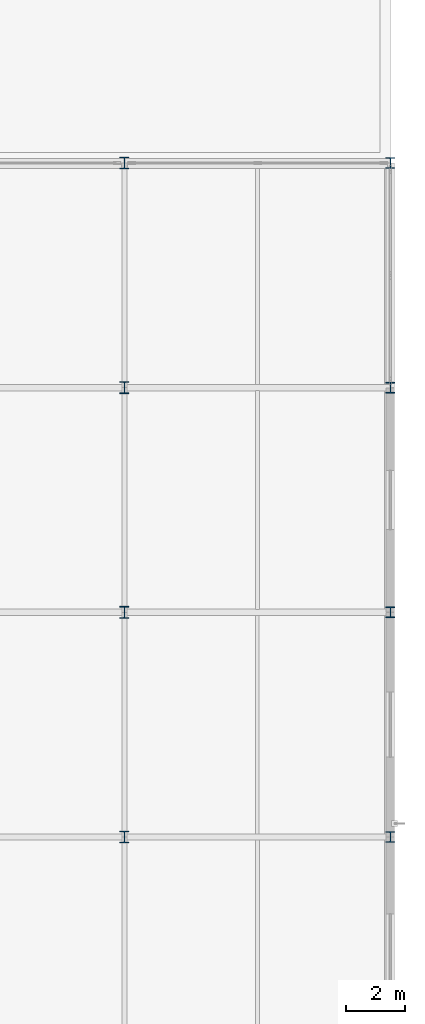
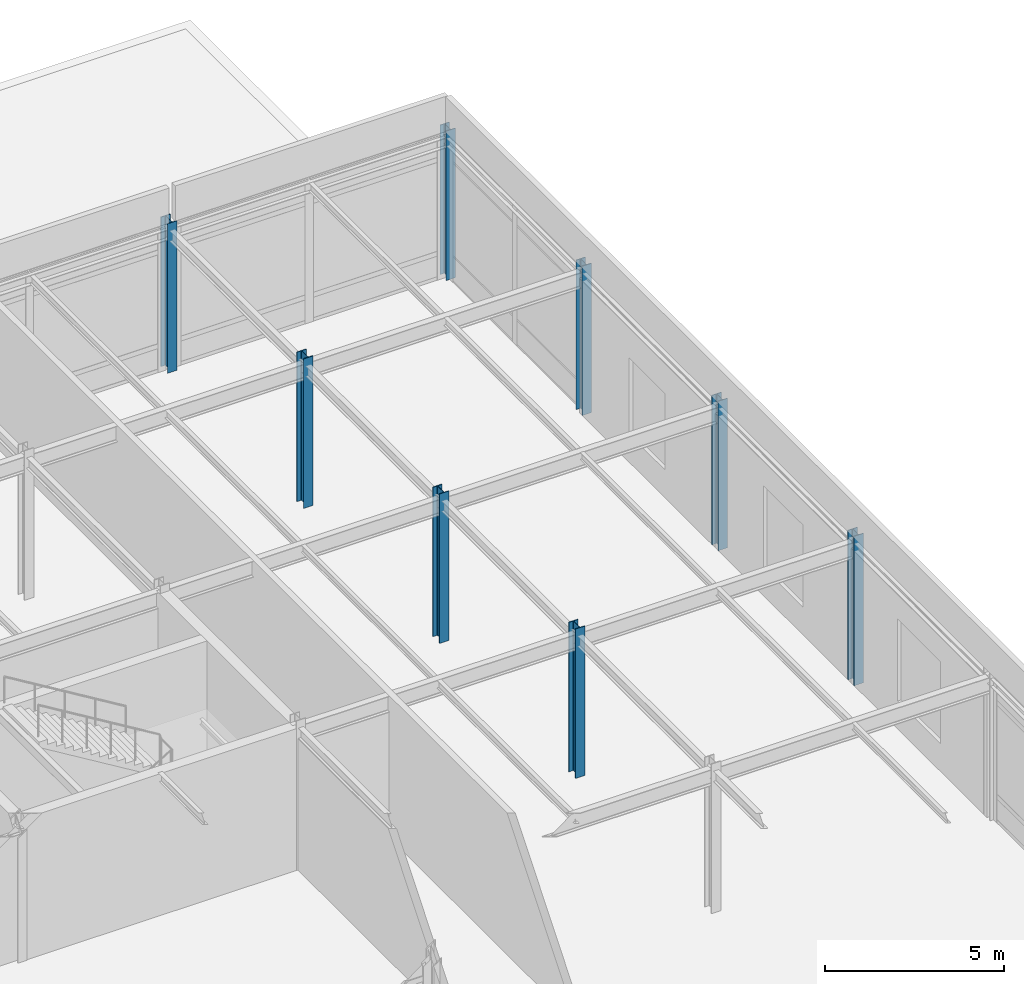
# One storey, part 13 of 79: 8 columns.
"""IFC4 building model written with IfcOpenShell, lengths in metres."""

from ifc_helpers import new_model, si_unit, direction, frame, origin, origin_2d, place, context, subcontext, project, spatial, i_section, extrude, material, material_profile, profile_set, type_object, element, save


model = new_model("IFC4")

# Units and contexts
model_context = context("Model", 3, precision=1e-05, world=origin(), true_north=direction((0.0, 1.0)))
body_context = subcontext(model_context, "Body", "Model", "MODEL_VIEW")
ifc_project = project(units=[si_unit("LENGTHUNIT", "METRE"), si_unit("AREAUNIT", "SQUARE_METRE"), si_unit("VOLUMEUNIT", "CUBIC_METRE"), si_unit("PLANEANGLEUNIT", "RADIAN"), si_unit("MASSUNIT", "GRAM", prefix="KILO")], contexts=[model_context])

# Site, building, storey
site_placement = place(None, origin())
site = spatial("IfcSite", under=ifc_project, at=site_placement, CompositionType="ELEMENT")
building_placement = place(site_placement, origin())
building = spatial("IfcBuilding", under=site, at=building_placement, Name="Shalkamar Park Central Library", CompositionType="ELEMENT")
storey_placement = place(building_placement, frame((0.0, 0.0, 10.5)))
storey = spatial("IfcBuildingStorey", under=building, at=storey_placement, Name="L03", CompositionType="ELEMENT", Elevation=10.5)

# Columns
ifc_material = material(Name="Steel S355", Category="steel")
ifc_material_profile_1 = material_profile(ifc_material, i_section(OverallWidth=0.300048828125, OverallDepth=0.360107421875, WebThickness=0.012451171875, FlangeThickness=0.0224609375, FilletRadius=0.027099609375, at=origin_2d()), Name="HEB 360")
ifc_profile_set_1 = profile_set([ifc_material_profile_1], Name="Steel S355")
column_type_1 = type_object("IfcColumnType", Name="Column Steel HEB360", PredefinedType="COLUMN", material=ifc_profile_set_1)
for number, where, z_axis, x_axis, name in (
    (1, (273.0, 300.800048828125, 0.0), (0.0, 0.0, 1.0), (1.0, 0.0, 0.0), "Column 20/J (L03)"),
    (2, (273.0, 308.39990234375, 0.0), (0.0, 0.0, 1.0), (1.0, 0.0, 0.0), "Column 20/K (L03)"),
    (3, (273.0, 316.0, 0.0), (0.0, 0.0, 1.0), (1.0, 0.0, 0.0), "Column 20/L (L03)"),
    (4, (273.0, 323.60009765625, 0.0), (0.0, 0.0, 1.0), (1.0, 0.0, 0.0), "Column 20/M (L03)"),
):
    element("IfcColumn", number, at=place(storey_placement, frame(where, z_axis=z_axis, x_axis=x_axis)), inside=storey, type_object=column_type_1, Name=name, PredefinedType="COLUMN", context=body_context, shape_type="SweptSolid", body=[
        extrude(i_section(OverallWidth=0.300048828125, OverallDepth=0.360107421875, WebThickness=0.012451171875, FlangeThickness=0.0224609375, FilletRadius=0.027099609375, at=origin_2d()), origin(), (0.0, 0.0, 1.0), 5.10009765625),
    ])
ifc_material_profile_2 = material_profile(ifc_material, i_section(OverallWidth=0.300048828125, OverallDepth=0.39990234375, WebThickness=0.013427734375, FlangeThickness=0.02392578125, FilletRadius=0.027099609375, at=origin_2d()), Name="HEB 400")
ifc_profile_set_2 = profile_set([ifc_material_profile_2], Name="Steel S355")
column_type_2 = type_object("IfcColumnType", Name="Column Steel HEB400", PredefinedType="COLUMN", material=ifc_profile_set_2)
for number, where, z_axis, x_axis, name in (
    (5, (264.0, 300.800048828125, 0.0), (0.0, 0.0, 1.0), (1.0, 0.0, 0.0), "Column 19/J (L03)"),
    (6, (264.0, 308.39990234375, 0.0), (0.0, 0.0, 1.0), (1.0, 0.0, 0.0), "Column 19/K (L03)"),
    (7, (264.0, 316.0, 0.0), (0.0, 0.0, 1.0), (1.0, 0.0, 0.0), "Column 19/L (L03)"),
    (8, (264.0, 323.60009765625, 0.0), (0.0, 0.0, 1.0), (1.0, 0.0, 0.0), "Column 19/M (L03)"),
):
    element("IfcColumn", number, at=place(storey_placement, frame(where, z_axis=z_axis, x_axis=x_axis)), inside=storey, type_object=column_type_2, Name=name, PredefinedType="COLUMN", context=body_context, shape_type="SweptSolid", body=[
        extrude(i_section(OverallWidth=0.300048828125, OverallDepth=0.39990234375, WebThickness=0.013427734375, FlangeThickness=0.02392578125, FilletRadius=0.027099609375, at=origin_2d()), origin(), (0.0, 0.0, 1.0), 5.10009765625),
    ])

save(model, "model.ifc")
